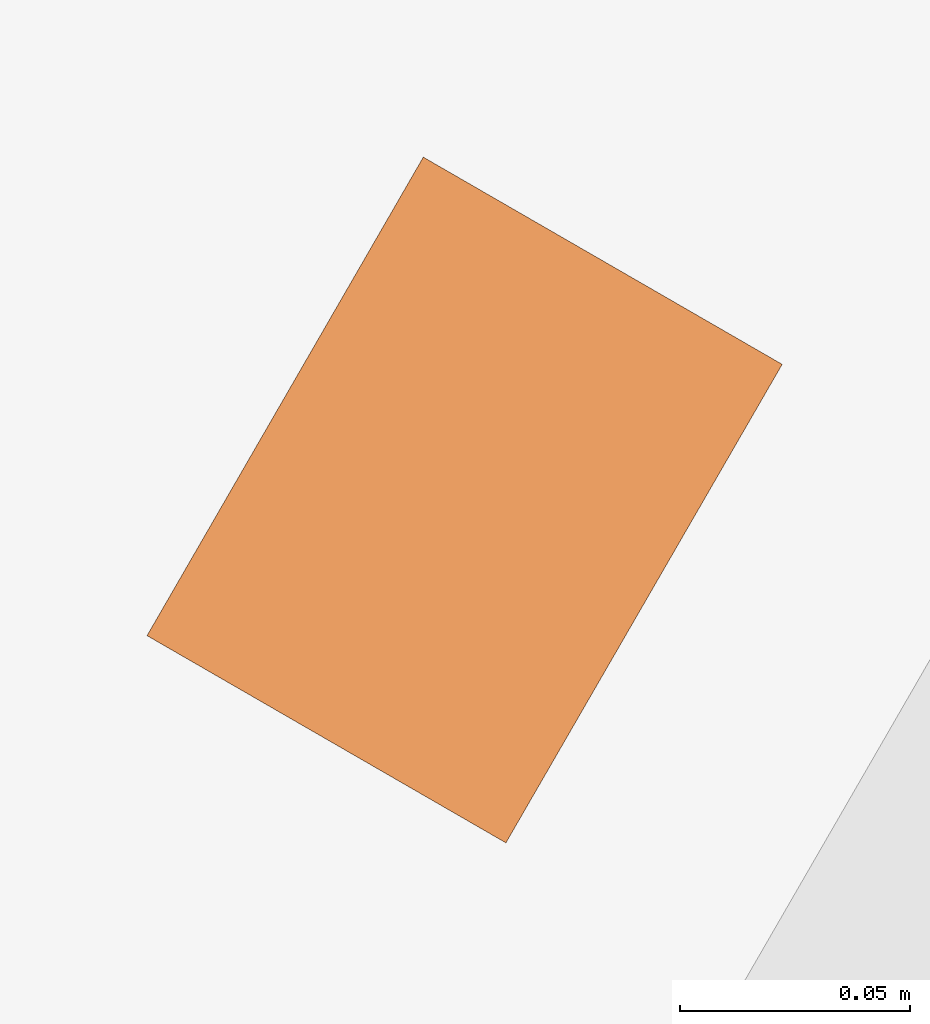
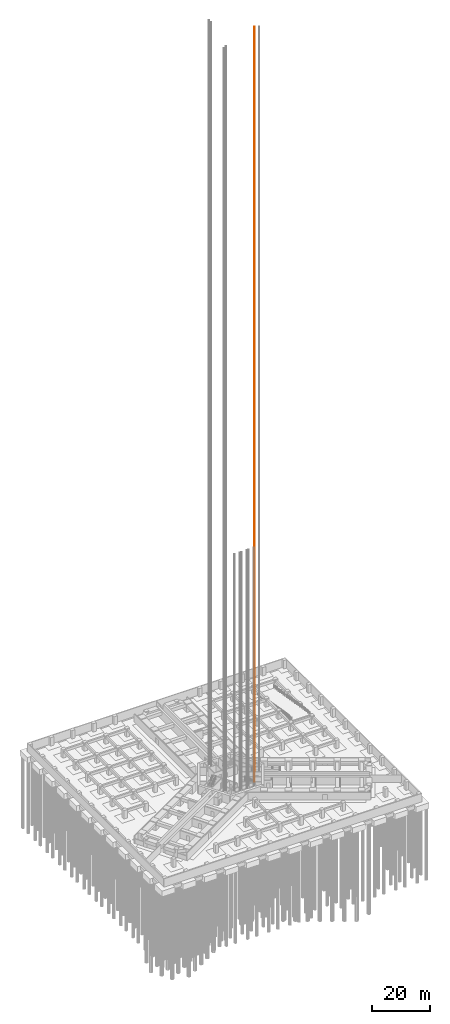
# One storey, part 71 of 73: 1 proxy.
"""IFC4 building model written with IfcOpenShell, lengths in metres."""

from ifc_helpers import new_model, si_unit, direction, frame, origin, origin_2d, place, context, subcontext, project, spatial, rectangle, extrude, material, type_object, element, save


model = new_model("IFC4")

# Units and contexts
model_context = context("Model", 3, precision=1e-05, world=origin(), true_north=direction((0.0, 1.0)))
body_context = subcontext(model_context, "Body", "Model", "MODEL_VIEW")
ifc_project = project(units=[si_unit("LENGTHUNIT", "METRE"), si_unit("AREAUNIT", "SQUARE_METRE"), si_unit("VOLUMEUNIT", "CUBIC_METRE"), si_unit("PLANEANGLEUNIT", "RADIAN"), si_unit("MASSUNIT", "GRAM", prefix="KILO")], contexts=[model_context])

# Site, building, storey
site_placement = place(None, origin())
site = spatial("IfcSite", under=ifc_project, at=site_placement, CompositionType="ELEMENT")
building_placement = place(site_placement, origin())
building = spatial("IfcBuilding", under=site, at=building_placement, Name="Impinga Residences", CompositionType="ELEMENT")
storey_placement = place(building_placement, frame((0.0, 0.0, -10.5)))
storey = spatial("IfcBuildingStorey", under=building, at=storey_placement, Name="B3", CompositionType="ELEMENT", Elevation=-10.5)

# Proxy
ifc_material = material(Name="Steel lift guide rail, galvanised", Category="steel")
building_element_proxy_type = type_object("IfcBuildingElementProxyType", Name="LGR lift guide rail", PredefinedType="USERDEFINED", material=ifc_material)
proxy_placement = place(storey_placement, frame((8.59814453125, -1.5576171875, -1.60009765625), z_axis=(0.0, 0.0, 1.0), x_axis=(0.866025403784, -0.5, 0.0)))
element("IfcBuildingElementProxy", 1, at=proxy_placement, inside=storey, type_object=building_element_proxy_type, Name="Guide rail F3 1", ObjectType="Lift guide rail", PredefinedType="USERDEFINED", context=body_context, shape_type="SweptSolid", body=[
    extrude(rectangle(XDim=0.090087890625, YDim=0.1201171875, at=origin_2d()), origin(), (0.0, 0.0, 1.0), 316.25),
])

save(model, "model.ifc")
